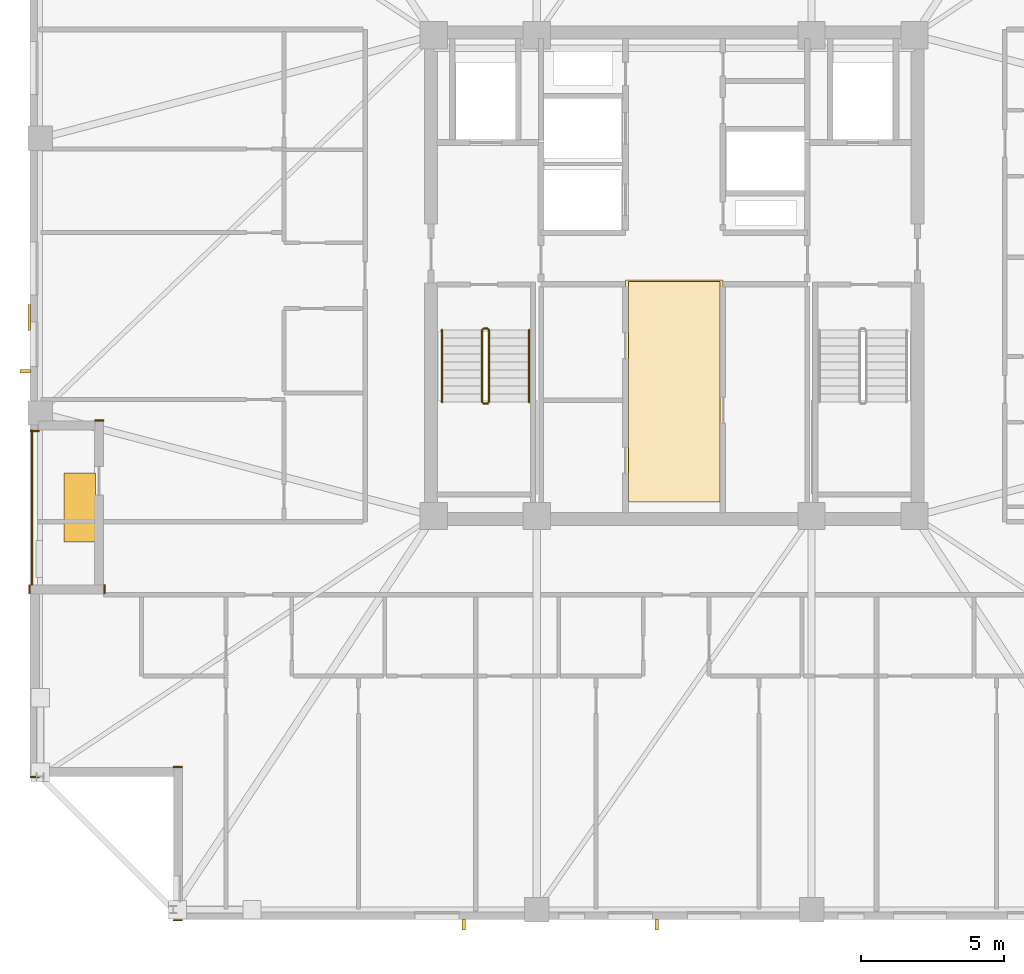
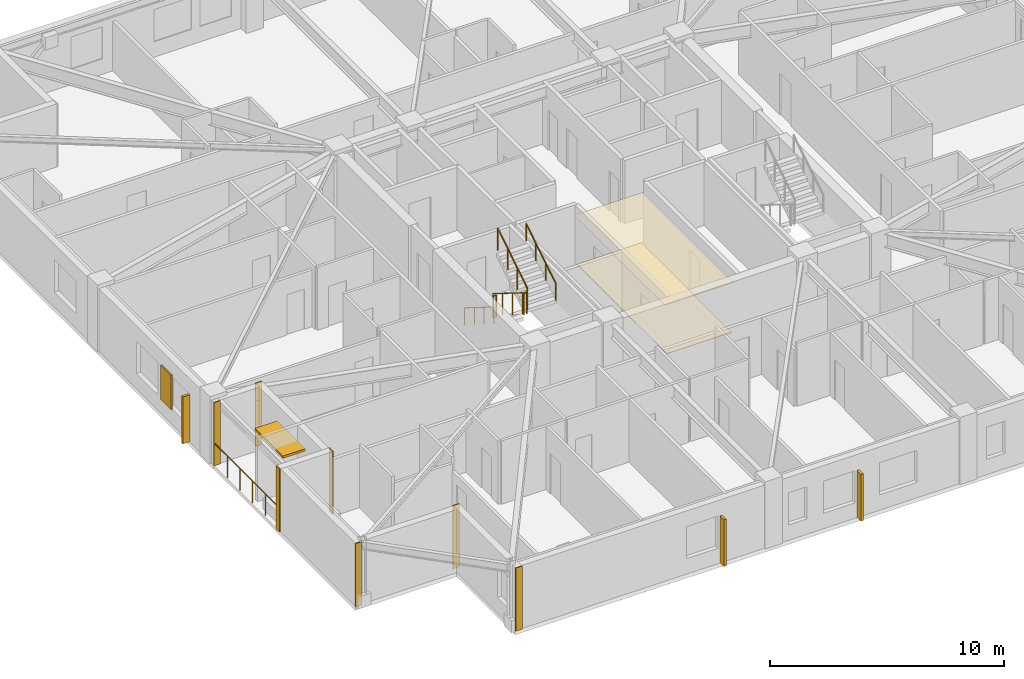
# One storey, part 13 of 16: 9 coverings, 7 railings, 5 shading devices.
"""IFC4 building model written with IfcOpenShell, lengths in metres."""

from ifc_helpers import new_model, si_unit, direction, frame, frame_2d, origin, origin_2d, place, context, subcontext, project, spatial, polyline, rectangle, circle, outline, extrude, material, layer, layer_set, type_object, element, save


model = new_model("IFC4")

# Units and contexts
model_context = context("Model", 3, precision=1e-05, world=origin(), true_north=direction((0.0, 1.0)))
body_context = subcontext(model_context, "Body", "Model", "MODEL_VIEW")
ifc_project = project(units=[si_unit("LENGTHUNIT", "METRE"), si_unit("AREAUNIT", "SQUARE_METRE"), si_unit("VOLUMEUNIT", "CUBIC_METRE"), si_unit("PLANEANGLEUNIT", "RADIAN"), si_unit("MASSUNIT", "GRAM", prefix="KILO")], contexts=[model_context])

# Site, building, storey
site_placement = place(None, origin())
site = spatial("IfcSite", under=ifc_project, at=site_placement, CompositionType="ELEMENT")
building_placement = place(site_placement, origin())
building = spatial("IfcBuilding", under=site, at=building_placement, Name="Cairnveth Concourse Tower", CompositionType="ELEMENT")
storey_placement = place(building_placement, frame((0.0, 0.0, 255.0)))
storey = spatial("IfcBuildingStorey", under=building, at=storey_placement, Name="L70", CompositionType="ELEMENT", Elevation=255.0)

# Coverings
ifc_material_1 = material(Name="Acoustic Mineral Fibre Ceiling", Category="gypsum")
ifc_layer_1 = layer(ifc_material_1, 0.02490234375)
ifc_layer_set_1 = layer_set([ifc_layer_1], Name="Acoustic Mineral Fibre Ceiling")
covering_type_1 = type_object("IfcCoveringType", Name="ACOUSTIC MINERAL FIBRE CEILING 25", PredefinedType="CEILING", material=ifc_layer_set_1)
covering_1_placement = place(storey_placement, frame((0.0, 0.0, 2.55810546875)))
element("IfcCovering", 1, at=covering_1_placement, inside=storey, type_object=covering_type_1, Name="Lift Lobby Acoustic Ceiling L70", PredefinedType="CEILING", context=body_context, shape_type="SweptSolid", body=[
    extrude(outline(polyline([(50.300048828125, 31.10009765625), (53.699951171875, 31.10009765625), (53.699951171875, 38.85009765625), (50.300048828125, 38.85009765625), (50.300048828125, 31.10009765625)])), origin(), (0.0, 0.0, 1.0), 0.02490234375),
])
ifc_material_2 = material(Name="Dressed Melbourne Bluestone Cladding", Category="masonry")
ifc_layer_2 = layer(ifc_material_2, 0.050048828125)
ifc_layer_set_2 = layer_set([ifc_layer_2], Name="Dressed Melbourne Bluestone Cladding")
covering_type_2 = type_object("IfcCoveringType", Name="DRESSED BLUESTONE PLINTH CLADDING 50", PredefinedType="CLADDING", material=ifc_layer_set_2)
for number, where, z_axis, x_axis, name in (
    (2, (29.820068359375, 33.580078125, 0.0), (0.0, 0.0, 1.0), (-1.0, 0.0, 0.0), "Melbourne Bluestone Corner Quoin L70-1055"),
    (3, (34.820068359375, 16.47998046875, 0.0), (0.0, 0.0, 1.0), (-1.0, 0.0, 0.0), "Melbourne Bluestone Corner Quoin L70-1065"),
    (4, (34.820068359375, 21.840087890625, 0.0), (0.0, 0.0, 1.0), (-1.0, 0.0, 0.0), "Melbourne Bluestone Corner Quoin L70-1066"),
    (5, (29.820068359375, 21.47998046875, 0.0), (0.0, 0.0, 1.0), (-1.0, 0.0, 0.0), "Melbourne Bluestone Corner Quoin L70-1067"),
    (6, (29.47998046875, 27.8798828125, 0.0), (0.0, 0.0, 1.0), (0.0, 1.0, 0.0), "Melbourne Bluestone Corner Quoin L70-1068"),
    (7, (32.090087890625, 27.8798828125, 0.0), (0.0, 0.0, 1.0), (0.0, 1.0, 0.0), "Melbourne Bluestone Corner Quoin L70-1069"),
    (8, (32.070068359375, 33.93994140625, 0.0), (0.0, 0.0, 1.0), (-1.0, 0.0, 0.0), "Melbourne Bluestone Corner Quoin L70-1070"),
):
    element("IfcCovering", number, at=place(storey_placement, frame(where, z_axis=z_axis, x_axis=x_axis)), inside=storey, type_object=covering_type_2, Name=name, PredefinedType="CLADDING", context=body_context, shape_type="SweptSolid", body=[
        extrude(rectangle(XDim=0.320068359375, YDim=0.050048828125, at=frame_2d((0.16015625, 0.0))), origin(), (0.0, 0.0, 1.0), 3.2900390625),
    ])

# Shading devices
ifc_material_3 = material(Name="Architectural Bronze Anodised Aluminium 6063-T6", Category="aluminium")
shading_device_type_1 = type_object("IfcShadingDeviceType", Name="GOTHIC BRONZE VERTICAL LANCET FIN", PredefinedType="USERDEFINED", material=ifc_material_3)
for number, where, z_axis, x_axis, name in (
    (9, (29.324951171875, 35.665283203125, 0.030029296875), (0.0, 0.0, 1.0), (0.0, 1.0, 0.0), "Gothic Bronze Vertical Fin L70-0-1"),
    (10, (51.396484375, 16.324951171875, 0.030029296875), (0.0, 0.0, 1.0), (1.0, 0.0, 0.0), "Gothic Bronze Vertical Fin L70-9-5"),
    (11, (44.64599609375, 16.324951171875, 0.030029296875), (0.0, 0.0, 1.0), (1.0, 0.0, 0.0), "Gothic Bronze Vertical Fin L70-9-7"),
):
    element("IfcShadingDevice", number, at=place(storey_placement, frame(where, z_axis=z_axis, x_axis=x_axis)), inside=storey, type_object=shading_device_type_1, Name=name, ObjectType="VERTICAL FIN", PredefinedType="USERDEFINED", context=body_context, shape_type="SweptSolid", body=[
        extrude(rectangle(XDim=0.1201171875, YDim=0.360107421875, at=origin_2d()), origin(), (0.0, 0.0, 1.0), 2.43798828125),
    ])
shading_device_type_2 = type_object("IfcShadingDeviceType", Name="SPIRAL TERRACE SUNSHADE CANOPY", PredefinedType="USERDEFINED", material=ifc_material_3)
shading_device_1_placement = place(storey_placement, frame((31.22998046875, 30.89990234375, 2.31787109375), z_axis=(0.0, 0.0, 1.0), x_axis=(1.0, 0.0, 0.0)))
element("IfcShadingDevice", 12, at=shading_device_1_placement, inside=storey, type_object=shading_device_type_2, Name="Spiral Terrace Sunshade L70", ObjectType="TERRACE SUNSHADE", PredefinedType="USERDEFINED", context=body_context, shape_type="SweptSolid", body=[
    extrude(rectangle(XDim=1.10009765625, YDim=2.39990234375, at=origin_2d()), origin(), (0.0, 0.0, 1.0), 0.1201171875),
])

# Railings
ifc_material_4 = material(Name="Steel Grade 350", Category="steel")
railing_type_1 = type_object("IfcRailingType", Name="STAIR GUARDRAIL 1150", PredefinedType="GUARDRAIL", material=ifc_material_4)
railing_1_placement = place(storey_placement, frame((45.2900390625, 37.10009765625, 0.175048828125)))
element("IfcRailing", 13, at=railing_1_placement, inside=storey, type_object=railing_type_1, Name="L70 ST-1 stair guard 1", PredefinedType="GUARDRAIL", context=body_context, shape_type="SweptSolid", body=[
    extrude(circle(Radius=0.02392578125, at=origin_2d()), frame((0.0, 0.0, 1.1259765625), z_axis=(0.0, -0.848007534815, 0.529984170421), x_axis=(1.0, 0.0, 0.0)), (0.0, 0.0, 1.0), 2.9716796875),
    extrude(circle(Radius=0.02099609375, at=origin_2d()), origin(), (0.0, 0.0, 1.0), 1.101806640625),
    extrude(circle(Radius=0.02099609375, at=origin_2d()), frame((0.0, -0.840087890625, 0.52490234375)), (0.0, 0.0, 1.0), 1.101806640625),
    extrude(circle(Radius=0.02099609375, at=origin_2d()), frame((0.0, -1.679931640625, 1.050048828125)), (0.0, 0.0, 1.0), 1.101806640625),
    extrude(circle(Radius=0.02099609375, at=origin_2d()), frame((0.0, -2.52001953125, 1.574951171875)), (0.0, 0.0, 1.0), 1.101806640625),
])
railing_2_placement = place(storey_placement, frame((45.340087890625, 34.530029296875, 1.75)))
element("IfcRailing", 14, at=railing_2_placement, inside=storey, type_object=railing_type_1, Name="L70 ST-1 stair guard 2", PredefinedType="GUARDRAIL", context=body_context, shape_type="SweptSolid", body=[
    extrude(circle(Radius=0.02392578125, at=origin_2d()), frame((0.0, 0.0, 1.1259765625), z_axis=(1.0, 0.0, 0.0), x_axis=(0.0, 1.0, 0.0)), (0.0, 0.0, 1.0), 0.139892578125),
    extrude(circle(Radius=0.02099609375, at=origin_2d()), origin(), (0.0, 0.0, 1.0), 1.101806640625),
    extrude(circle(Radius=0.02099609375, at=origin_2d()), frame((0.139892578125, 0.0, 0.0)), (0.0, 0.0, 1.0), 1.101806640625),
])
railing_3_placement = place(storey_placement, frame((45.530029296875, 34.580078125, 1.925048828125)))
element("IfcRailing", 15, at=railing_3_placement, inside=storey, type_object=railing_type_1, Name="L70 ST-1 stair guard 3", PredefinedType="GUARDRAIL", context=body_context, shape_type="SweptSolid", body=[
    extrude(circle(Radius=0.02392578125, at=origin_2d()), frame((0.0, 0.0, 1.1259765625), z_axis=(0.0, 0.848007534815, 0.529984170421), x_axis=(-1.0, 0.0, 0.0)), (0.0, 0.0, 1.0), 2.9716796875),
    extrude(circle(Radius=0.02099609375, at=origin_2d()), origin(), (0.0, 0.0, 1.0), 1.101806640625),
    extrude(circle(Radius=0.02099609375, at=origin_2d()), frame((0.0, 0.840087890625, 0.52490234375)), (0.0, 0.0, 1.0), 1.101806640625),
    extrude(circle(Radius=0.02099609375, at=origin_2d()), frame((0.0, 1.679931640625, 1.050048828125)), (0.0, 0.0, 1.0), 1.101806640625),
    extrude(circle(Radius=0.02099609375, at=origin_2d()), frame((0.0, 2.52001953125, 1.574951171875)), (0.0, 0.0, 1.0), 1.101806640625),
])
railing_4_placement = place(storey_placement, frame((45.340087890625, 37.14990234375, 0.0)))
element("IfcRailing", 16, at=railing_4_placement, inside=storey, type_object=railing_type_1, Name="L70 ST-1 stair guard 4", PredefinedType="GUARDRAIL", context=body_context, shape_type="SweptSolid", body=[
    extrude(circle(Radius=0.02392578125, at=origin_2d()), frame((0.0, 0.0, 1.1259765625), z_axis=(1.0, 0.0, 0.0), x_axis=(0.0, 1.0, 0.0)), (0.0, 0.0, 1.0), 0.139892578125),
    extrude(circle(Radius=0.02099609375, at=origin_2d()), origin(), (0.0, 0.0, 1.0), 1.101806640625),
    extrude(circle(Radius=0.02099609375, at=origin_2d()), frame((0.139892578125, 0.0, 0.0)), (0.0, 0.0, 1.0), 1.101806640625),
])
railing_type_2 = type_object("IfcRailingType", Name="STAIR WALL HANDRAIL 900", PredefinedType="HANDRAIL", material=ifc_material_4)
railing_5_placement = place(storey_placement, frame((43.889892578125, 37.10009765625, 0.175048828125)))
element("IfcRailing", 17, at=railing_5_placement, inside=storey, type_object=railing_type_2, Name="L70 ST-1 stair handrail 1", PredefinedType="HANDRAIL", context=body_context, shape_type="SweptSolid", body=[
    extrude(circle(Radius=0.02392578125, at=origin_2d()), frame((0.0, 0.0, 0.8759765625), z_axis=(0.0, -0.848007534815, 0.529984170421), x_axis=(1.0, 0.0, 0.0)), (0.0, 0.0, 1.0), 2.9716796875),
    extrude(circle(Radius=0.02099609375, at=origin_2d()), origin(), (0.0, 0.0, 1.0), 0.851806640625),
    extrude(circle(Radius=0.02099609375, at=origin_2d()), frame((0.0, -0.840087890625, 0.52490234375)), (0.0, 0.0, 1.0), 0.851806640625),
    extrude(circle(Radius=0.02099609375, at=origin_2d()), frame((0.0, -1.679931640625, 1.050048828125)), (0.0, 0.0, 1.0), 0.851806640625),
    extrude(circle(Radius=0.02099609375, at=origin_2d()), frame((0.0, -2.52001953125, 1.574951171875)), (0.0, 0.0, 1.0), 0.851806640625),
])
railing_6_placement = place(storey_placement, frame((46.929931640625, 34.580078125, 1.925048828125)))
element("IfcRailing", 18, at=railing_6_placement, inside=storey, type_object=railing_type_2, Name="L70 ST-1 stair handrail 2", PredefinedType="HANDRAIL", context=body_context, shape_type="SweptSolid", body=[
    extrude(circle(Radius=0.02392578125, at=origin_2d()), frame((0.0, 0.0, 0.8759765625), z_axis=(0.0, 0.848007534815, 0.529984170421), x_axis=(-1.0, 0.0, 0.0)), (0.0, 0.0, 1.0), 2.9716796875),
    extrude(circle(Radius=0.02099609375, at=origin_2d()), origin(), (0.0, 0.0, 1.0), 0.851806640625),
    extrude(circle(Radius=0.02099609375, at=origin_2d()), frame((0.0, 0.840087890625, 0.52490234375)), (0.0, 0.0, 1.0), 0.851806640625),
    extrude(circle(Radius=0.02099609375, at=origin_2d()), frame((0.0, 1.679931640625, 1.050048828125)), (0.0, 0.0, 1.0), 0.851806640625),
    extrude(circle(Radius=0.02099609375, at=origin_2d()), frame((0.0, 2.52001953125, 1.574951171875)), (0.0, 0.0, 1.0), 0.851806640625),
])
railing_type_3 = type_object("IfcRailingType", Name="TERRACE BRONZE BALUSTRADE 1150", PredefinedType="BALUSTRADE", material=ifc_material_3)
railing_7_placement = place(storey_placement, frame((29.56005859375, 28.199951171875, 0.0)))
element("IfcRailing", 19, at=railing_7_placement, inside=storey, type_object=railing_type_3, Name="Terrace Balustrade RL-L70-TERR", PredefinedType="BALUSTRADE", context=body_context, shape_type="SweptSolid", body=[
    extrude(circle(Radius=0.02490234375, at=origin_2d()), frame((0.0, 0.0, 1.125), z_axis=(0.0, 1.0, 0.0), x_axis=(-1.0, 0.0, 0.0)), (0.0, 0.0, 1.0), 5.400146484375),
    extrude(circle(Radius=0.02099609375, at=origin_2d()), origin(), (0.0, 0.0, 1.0), 1.099853515625),
    extrude(circle(Radius=0.02099609375, at=origin_2d()), frame((0.0, 1.080078125, 0.0)), (0.0, 0.0, 1.0), 1.099853515625),
    extrude(circle(Radius=0.02099609375, at=origin_2d()), frame((0.0, 2.16015625, 0.0)), (0.0, 0.0, 1.0), 1.099853515625),
    extrude(circle(Radius=0.02099609375, at=origin_2d()), frame((0.0, 3.239990234375, 0.0)), (0.0, 0.0, 1.0), 1.099853515625),
    extrude(circle(Radius=0.02099609375, at=origin_2d()), frame((0.0, 4.320068359375, 0.0)), (0.0, 0.0, 1.0), 1.099853515625),
    extrude(circle(Radius=0.02099609375, at=origin_2d()), frame((0.0, 5.400146484375, 0.0)), (0.0, 0.0, 1.0), 1.099853515625),
])

# Covering
ifc_material_5 = material(Name="Vitrified Stoneware Tile Flooring", Category="masonry")
ifc_layer_3 = layer(ifc_material_5, 0.02001953125)
ifc_layer_set_3 = layer_set([ifc_layer_3], Name="Vitrified Stoneware Tile Flooring")
covering_type_3 = type_object("IfcCoveringType", Name="VITRIFIED STONEWARE LOBBY FLOORING 20", PredefinedType="FLOORING", material=ifc_layer_set_3)
covering_2_placement = place(storey_placement, origin())
element("IfcCovering", 20, at=covering_2_placement, inside=storey, type_object=covering_type_3, Name="Lift Lobby Stoneware Flooring L70", PredefinedType="FLOORING", context=body_context, shape_type="SweptSolid", body=[
    extrude(outline(polyline([(50.39990234375, 31.10009765625), (53.60009765625, 31.10009765625), (53.60009765625, 38.800048828125), (50.39990234375, 38.800048828125), (50.39990234375, 31.10009765625)])), origin(), (0.0, 0.0, 1.0), 0.02001953125),
])

# Shading device
shading_device_type_3 = type_object("IfcShadingDeviceType", Name="WEST SOLAR PERFORATED SHUTTER", PredefinedType="SHUTTER", material=ifc_material_3)
shading_device_2_placement = place(storey_placement, frame((29.464111328125, 37.53515625, 0.7998046875), z_axis=(0.0, 0.0, 1.0), x_axis=(1.0, 0.0, 0.0)))
element("IfcShadingDevice", 21, at=shading_device_2_placement, inside=storey, type_object=shading_device_type_3, Name="West Solar Shutter L70", PredefinedType="SHUTTER", context=body_context, shape_type="SweptSolid", body=[
    extrude(rectangle(XDim=0.080078125, YDim=0.89990234375, at=origin_2d()), origin(), (0.0, 0.0, 1.0), 1.800048828125),
])

save(model, "model.ifc")
